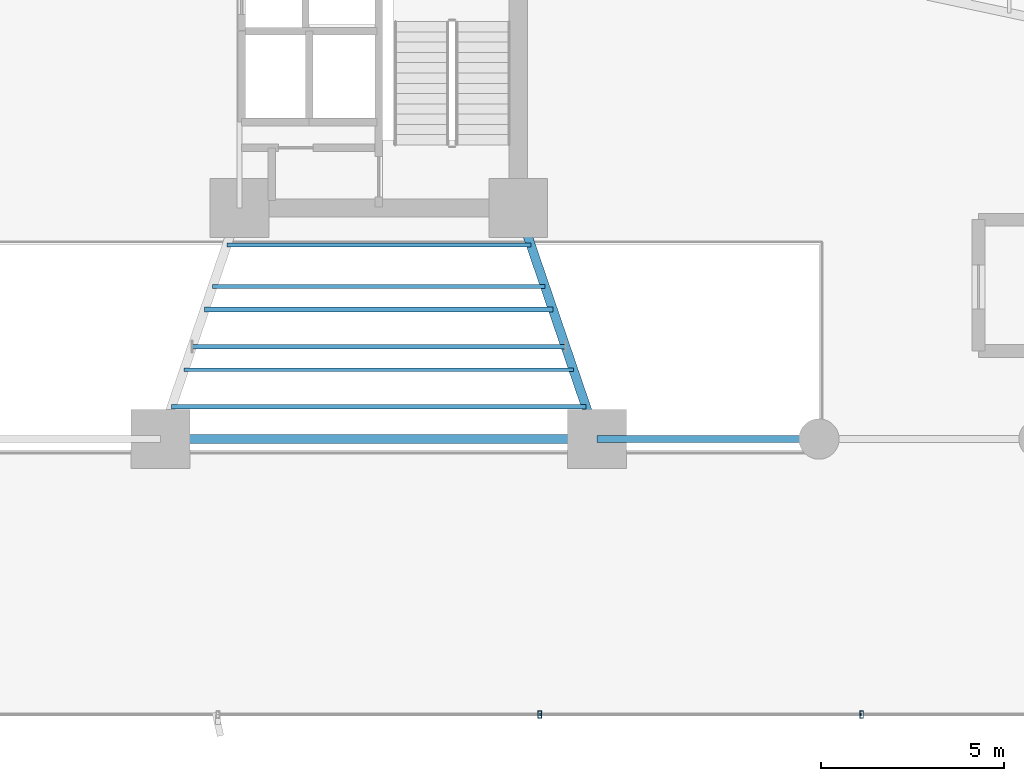
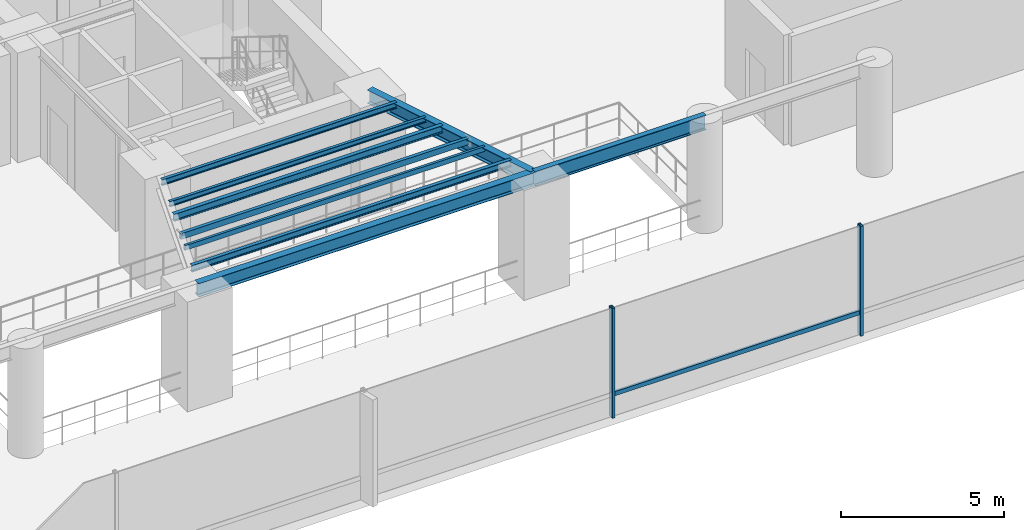
# One storey, part 6 of 23: 9 beams, 3 members, 1 element without a shape of its own.
"""IFC4 building model written with IfcOpenShell, lengths in metres."""

from ifc_helpers import new_model, si_unit, direction, frame, origin, origin_2d, place, context, subcontext, project, spatial, hollow_rectangle, i_section, extrude, source, transform, mapped, material, material_profile, profile_set, type_object, element, aggregate, save


model = new_model("IFC4")

# Units and contexts
model_context = context("Model", 3, precision=1e-05, world=origin(), true_north=direction((0.0, 1.0)))
body_context = subcontext(model_context, "Body", "Model", "MODEL_VIEW")
ifc_project = project(units=[si_unit("LENGTHUNIT", "METRE"), si_unit("AREAUNIT", "SQUARE_METRE"), si_unit("VOLUMEUNIT", "CUBIC_METRE"), si_unit("PLANEANGLEUNIT", "RADIAN"), si_unit("MASSUNIT", "GRAM", prefix="KILO")], contexts=[model_context])

# Site, building, storey
site_placement = place(None, origin())
site = spatial("IfcSite", under=ifc_project, at=site_placement, CompositionType="ELEMENT")
building_placement = place(site_placement, origin())
building = spatial("IfcBuilding", under=site, at=building_placement, Name="Sahyath Konkavel Grand Hotel", CompositionType="ELEMENT")
storey_placement = place(building_placement, frame((0.0, 0.0, 4.800048828125)))
storey = spatial("IfcBuildingStorey", under=building, at=storey_placement, Name="L01", CompositionType="ELEMENT", Elevation=4.800048828125)

# Beams
ifc_material_1 = material(Name="Steel E350", Category="steel")
ifc_material_profile_1 = material_profile(ifc_material_1, i_section(OverallWidth=0.25, OverallDepth=0.5, WebThickness=0.010009765625, FlangeThickness=0.0146484375, FilletRadius=0.014892578125, at=origin_2d()), Name="ISWB 500")
ifc_profile_set_1 = profile_set([ifc_material_profile_1], Name="Steel E350")
beam_type_1 = type_object("IfcBeamType", Name="BM-ISWB500", PredefinedType="BEAM", material=ifc_profile_set_1)
shared_shape_1 = source(origin(), body_context, "Body", "SweptSolid", [
    extrude(i_section(OverallWidth=0.25, OverallDepth=0.5, WebThickness=0.010009765625, FlangeThickness=0.0146484375, FilletRadius=0.014892578125, at=origin_2d()), origin(), (0.0, 0.0, 1.0), 6.65673828125),
])
beam_1_placement = place(storey_placement, frame((3.800048828125, -10.199951171875, 3.849853515625), z_axis=(0.322964397437, -0.946411114679, 0.0), x_axis=(0.946411114679, 0.322964397437, 0.0)))
element("IfcBeam", 1, at=beam_1_placement, inside=storey, type_object=beam_type_1, Name="L01 Podium Primary Girder SB", PredefinedType="BEAM", context=body_context, shape_type="MappedRepresentation", body=[
    mapped(shared_shape_1, transform((0.0, 0.0, 0.0), scale=1.0)),
])
shared_shape_2 = source(origin(), body_context, "Body", "SweptSolid", [
    extrude(i_section(OverallWidth=0.25, OverallDepth=0.5, WebThickness=0.010009765625, FlangeThickness=0.0146484375, FilletRadius=0.014892578125, at=origin_2d()), origin(), (0.0, 0.0, 1.0), 11.89990234375),
])
beam_2_placement = place(storey_placement, frame((-5.949951171875, -16.5, 3.849853515625), z_axis=(1.0, 0.0, 0.0), x_axis=(0.0, 1.0, 0.0)))
element("IfcBeam", 2, at=beam_2_placement, inside=storey, type_object=beam_type_1, Name="L01 Podium Primary Girder Tie S", PredefinedType="BEAM", context=body_context, shape_type="MappedRepresentation", body=[
    mapped(shared_shape_2, transform((0.0, 0.0, 0.0), scale=1.0)),
])
ifc_material_profile_2 = material_profile(ifc_material_1, i_section(OverallWidth=0.18994140625, OverallDepth=0.550048828125, WebThickness=0.01123046875, FlangeThickness=0.019287109375, FilletRadius=0.01806640625, at=origin_2d()), Name="ISMB 550")
ifc_profile_set_2 = profile_set([ifc_material_profile_2], Name="Steel E350")
beam_type_2 = type_object("IfcBeamType", Name="BM-ISMB550", PredefinedType="BEAM", material=ifc_profile_set_2)
shared_shape_3 = source(origin(), body_context, "Body", "SweptSolid", [
    extrude(i_section(OverallWidth=0.18994140625, OverallDepth=0.550048828125, WebThickness=0.01123046875, FlangeThickness=0.019287109375, FilletRadius=0.01806640625, at=origin_2d()), origin(), (0.0, 0.0, 1.0), 6.050048828125),
])
beam_3_placement = place(storey_placement, frame((5.949951171875, -16.5, 3.824951171875), z_axis=(1.0, 0.0, 0.0), x_axis=(0.0, 1.0, 0.0)))
element("IfcBeam", 3, at=beam_3_placement, inside=storey, type_object=beam_type_2, Name="str:bm:L01:POD-07", PredefinedType="BEAM", context=body_context, shape_type="MappedRepresentation", body=[
    mapped(shared_shape_3, transform((0.0, 0.0, 0.0), scale=1.0)),
])
ifc_material_profile_3 = material_profile(ifc_material_1, i_section(OverallWidth=0.110107421875, OverallDepth=0.22509765625, WebThickness=0.006591796875, FlangeThickness=0.01171875, FilletRadius=0.011962890625, at=origin_2d()), Name="ISMB 225")
ifc_profile_set_3 = profile_set([ifc_material_profile_3], Name="Steel E350")
beam_type_3 = type_object("IfcBeamType", Name="BM-ISMB225", PredefinedType="BEAM", material=ifc_profile_set_3)
shared_shape_4 = source(origin(), body_context, "Body", "SweptSolid", [
    extrude(i_section(OverallWidth=0.110107421875, OverallDepth=0.22509765625, WebThickness=0.006591796875, FlangeThickness=0.01171875, FilletRadius=0.011962890625, at=origin_2d()), origin(), (0.0, 0.0, 1.0), 8.2880859375),
])
beam_4_placement = place(storey_placement, frame((-4.14404296875, -11.2080078125, 3.987548828125), z_axis=(1.0, 0.0, 0.0), x_axis=(0.0, 1.0, 0.0)))
element("IfcBeam", 4, at=beam_4_placement, inside=storey, type_object=beam_type_3, Name="L01 Composite Deck Sub-Beam S-1", PredefinedType="BEAM", context=body_context, shape_type="MappedRepresentation", body=[
    mapped(shared_shape_4, transform((0.0, 0.0, 0.0), scale=1.0)),
])
ifc_material_profile_4 = material_profile(ifc_material_1, i_section(OverallWidth=0.10009765625, OverallDepth=0.199951171875, WebThickness=0.005615234375, FlangeThickness=0.0107421875, FilletRadius=0.010986328125, at=origin_2d()), Name="ISMB 200")
ifc_profile_set_4 = profile_set([ifc_material_profile_4], Name="Steel E350")
beam_type_4 = type_object("IfcBeamType", Name="BM-ISMB200", PredefinedType="BEAM", material=ifc_profile_set_4)
shared_shape_5 = source(origin(), body_context, "Body", "SweptSolid", [
    extrude(i_section(OverallWidth=0.10009765625, OverallDepth=0.199951171875, WebThickness=0.005615234375, FlangeThickness=0.0107421875, FilletRadius=0.010986328125, at=origin_2d()), origin(), (0.0, 0.0, 1.0), 9.06201171875),
])
beam_5_placement = place(storey_placement, frame((-4.531005859375, -12.342041015625, 4.0), z_axis=(1.0, 0.0, 0.0), x_axis=(0.0, 1.0, 0.0)))
element("IfcBeam", 5, at=beam_5_placement, inside=storey, type_object=beam_type_4, Name="L01 Composite Deck Sub-Beam S-2", PredefinedType="BEAM", context=body_context, shape_type="MappedRepresentation", body=[
    mapped(shared_shape_5, transform((0.0, 0.0, 0.0), scale=1.0)),
])
ifc_material_profile_5 = material_profile(ifc_material_1, i_section(OverallWidth=0.139892578125, OverallDepth=0.27490234375, WebThickness=0.00634765625, FlangeThickness=0.0087890625, FilletRadius=0.012939453125, at=origin_2d()), Name="ISLB 275")
ifc_profile_set_5 = profile_set([ifc_material_profile_5], Name="Steel E350")
beam_type_5 = type_object("IfcBeamType", Name="BM-ISLB275", PredefinedType="BEAM", material=ifc_profile_set_5)
shared_shape_6 = source(origin(), body_context, "Body", "SweptSolid", [
    extrude(i_section(OverallWidth=0.139892578125, OverallDepth=0.27490234375, WebThickness=0.00634765625, FlangeThickness=0.0087890625, FilletRadius=0.012939453125, at=origin_2d()), origin(), (0.0, 0.0, 1.0), 9.4921875),
])
beam_6_placement = place(storey_placement, frame((-4.74609375, -12.971923828125, 3.96240234375), z_axis=(1.0, 0.0, 0.0), x_axis=(0.0, 1.0, 0.0)))
element("IfcBeam", 6, at=beam_6_placement, inside=storey, type_object=beam_type_5, Name="L01 Composite Deck Sub-Beam S-3", PredefinedType="BEAM", context=body_context, shape_type="MappedRepresentation", body=[
    mapped(shared_shape_6, transform((0.0, 0.0, 0.0), scale=1.0)),
])
ifc_material_profile_6 = material_profile(ifc_material_1, hollow_rectangle(XDim=0.1201171875, YDim=0.219970703125, WallThickness=0.010009765625, at=origin_2d()), Name="RHS 220x120x10")
ifc_profile_set_6 = profile_set([ifc_material_profile_6], Name="Steel E350")
beam_type_6 = type_object("IfcBeamType", Name="BM-RHS220", PredefinedType="BEAM", material=ifc_profile_set_6)
shared_shape_7 = source(origin(), body_context, "Body", "SweptSolid", [
    extrude(hollow_rectangle(XDim=0.1201171875, YDim=0.219970703125, WallThickness=0.010009765625, at=origin_2d()), origin(), (0.0, 0.0, 1.0), 10.18017578125),
])
beam_7_placement = place(storey_placement, frame((-5.090087890625, -13.97998046875, 3.989990234375), z_axis=(1.0, 0.0, 0.0), x_axis=(0.0, 1.0, 0.0)))
element("IfcBeam", 7, at=beam_7_placement, inside=storey, type_object=beam_type_6, Name="L01 Composite Deck Sub-Beam S-4", PredefinedType="BEAM", context=body_context, shape_type="MappedRepresentation", body=[
    mapped(shared_shape_7, transform((0.0, 0.0, 0.0), scale=1.0)),
])
ifc_material_profile_7 = material_profile(ifc_material_1, hollow_rectangle(XDim=0.090087890625, YDim=0.179931640625, WallThickness=0.008056640625, at=origin_2d()), Name="RHS 180x90x8")
ifc_profile_set_7 = profile_set([ifc_material_profile_7], Name="Steel E350")
beam_type_7 = type_object("IfcBeamType", Name="BM-RHS180", PredefinedType="BEAM", material=ifc_profile_set_7)
shared_shape_8 = source(origin(), body_context, "Body", "SweptSolid", [
    extrude(hollow_rectangle(XDim=0.090087890625, YDim=0.179931640625, WallThickness=0.008056640625, at=origin_2d()), origin(), (0.0, 0.0, 1.0), 10.60986328125),
])
beam_8_placement = place(storey_placement, frame((-5.304931640625, -14.610107421875, 4.010009765625), z_axis=(1.0, 0.0, 0.0), x_axis=(0.0, 1.0, 0.0)))
element("IfcBeam", 8, at=beam_8_placement, inside=storey, type_object=beam_type_7, Name="L01 Composite Deck Sub-Beam S-5", PredefinedType="BEAM", context=body_context, shape_type="MappedRepresentation", body=[
    mapped(shared_shape_8, transform((0.0, 0.0, 0.0), scale=1.0)),
])
ifc_material_profile_8 = material_profile(ifc_material_1, i_section(OverallWidth=0.125, OverallDepth=0.25, WebThickness=0.0068359375, FlangeThickness=0.012451171875, FilletRadius=0.012939453125, at=origin_2d()), Name="ISMB 250")
ifc_profile_set_8 = profile_set([ifc_material_profile_8], Name="Steel E350")
beam_type_8 = type_object("IfcBeamType", Name="BM-ISMB250", PredefinedType="BEAM", material=ifc_profile_set_8)
shared_shape_9 = source(origin(), body_context, "Body", "SweptSolid", [
    extrude(i_section(OverallWidth=0.125, OverallDepth=0.25, WebThickness=0.0068359375, FlangeThickness=0.012451171875, FilletRadius=0.012939453125, at=origin_2d()), origin(), (0.0, 0.0, 1.0), 11.2978515625),
])
beam_9_placement = place(storey_placement, frame((-5.64892578125, -15.617919921875, 3.974853515625), z_axis=(1.0, 0.0, 0.0), x_axis=(0.0, 1.0, 0.0)))
element("IfcBeam", 9, at=beam_9_placement, inside=storey, type_object=beam_type_8, Name="L01 Composite Deck Sub-Beam S-6", PredefinedType="BEAM", context=body_context, shape_type="MappedRepresentation", body=[
    mapped(shared_shape_9, transform((0.0, 0.0, 0.0), scale=1.0)),
])

# Curtain wall, members
ifc_material_2 = material(Name="Anodised Bronze Aluminium & Low-E Glazing", Category="aluminium")
curtain_wall_type = type_object("IfcCurtainWallType", Name="CW-PODIUM", PredefinedType="NOTDEFINED", material=ifc_material_2)
curtain_wall_placement = place(storey_placement, origin())
curtain_wall = element("IfcCurtainWall", 10, at=curtain_wall_placement, inside=storey, type_object=curtain_wall_type, Name="L01 Unitised Curtain Wall S", PredefinedType="NOTDEFINED")
ifc_material_3 = material(Name="Anodised Bronze Aluminium", Category="aluminium")
ifc_material_profile_9 = material_profile(ifc_material_3, hollow_rectangle(XDim=0.10009765625, YDim=0.199951171875, WallThickness=0.008056640625, at=origin_2d()), Name="RHS 200x100x8")
ifc_profile_set_9 = profile_set([ifc_material_profile_9], Name="Anodised Bronze Aluminium")
member_type_1 = type_object("IfcMemberType", Name="CW-MUL-200", PredefinedType="MULLION", material=ifc_profile_set_9)
shared_shape_10 = source(origin(), body_context, "Body", "SweptSolid", [
    extrude(hollow_rectangle(XDim=0.10009765625, YDim=0.199951171875, WallThickness=0.008056640625, at=origin_2d()), origin(), (0.0, 0.0, 1.0), 4.099853515625),
])
member_1_placement = place(storey_placement, frame((4.387451171875, -24.012939453125, 0.0), z_axis=(0.0, 0.0, 1.0), x_axis=(1.0, 0.0, 0.0)))
member_1 = element("IfcMember", 11, at=member_1_placement, type_object=member_type_1, Name="L01 Curtain Wall Mullion S-4", PredefinedType="MULLION", context=body_context, shape_type="MappedRepresentation", body=[
    mapped(shared_shape_10, transform((0.0, 0.0, 0.0), scale=1.0)),
])
member_2_placement = place(storey_placement, frame((13.162353515625, -24.012939453125, 0.0), z_axis=(0.0, 0.0, 1.0), x_axis=(1.0, 0.0, 0.0)))
member_2 = element("IfcMember", 12, at=member_2_placement, type_object=member_type_1, Name="L01 Curtain Wall Mullion S-5", PredefinedType="MULLION", context=body_context, shape_type="MappedRepresentation", body=[
    mapped(shared_shape_10, transform((0.0, 0.0, 0.0), scale=1.0)),
])
ifc_material_profile_10 = material_profile(ifc_material_3, hollow_rectangle(XDim=0.080078125, YDim=0.159912109375, WallThickness=0.006103515625, at=origin_2d()), Name="RHS 160x80x6")
ifc_profile_set_10 = profile_set([ifc_material_profile_10], Name="Anodised Bronze Aluminium")
member_type_2 = type_object("IfcMemberType", Name="CW-TRN-160", PredefinedType="USERDEFINED", material=ifc_profile_set_10)
shared_shape_11 = source(origin(), body_context, "Body", "SweptSolid", [
    extrude(hollow_rectangle(XDim=0.080078125, YDim=0.159912109375, WallThickness=0.006103515625, at=origin_2d()), origin(), (0.0, 0.0, 1.0), 8.77490234375),
])
member_3_placement = place(storey_placement, frame((4.387451171875, -24.012939453125, 0.849853515625), z_axis=(1.0, 0.0, 0.0), x_axis=(0.0, 1.0, 0.0)))
member_3 = element("IfcMember", 13, at=member_3_placement, type_object=member_type_2, Name="L01 Curtain Wall Transom S-4-spandrel", ObjectType="TRANSOM", PredefinedType="USERDEFINED", context=body_context, shape_type="MappedRepresentation", body=[
    mapped(shared_shape_11, transform((0.0, 0.0, 0.0), scale=1.0)),
])
aggregate(curtain_wall, [member_1, member_2, member_3])

save(model, "model.ifc")
